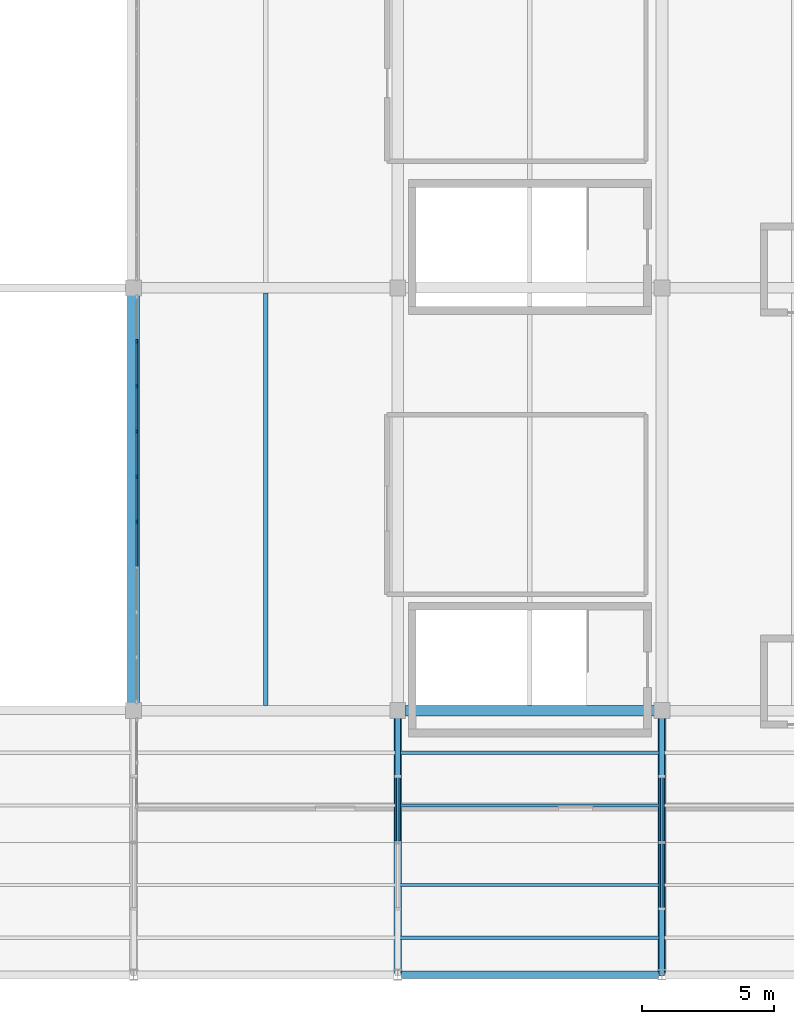
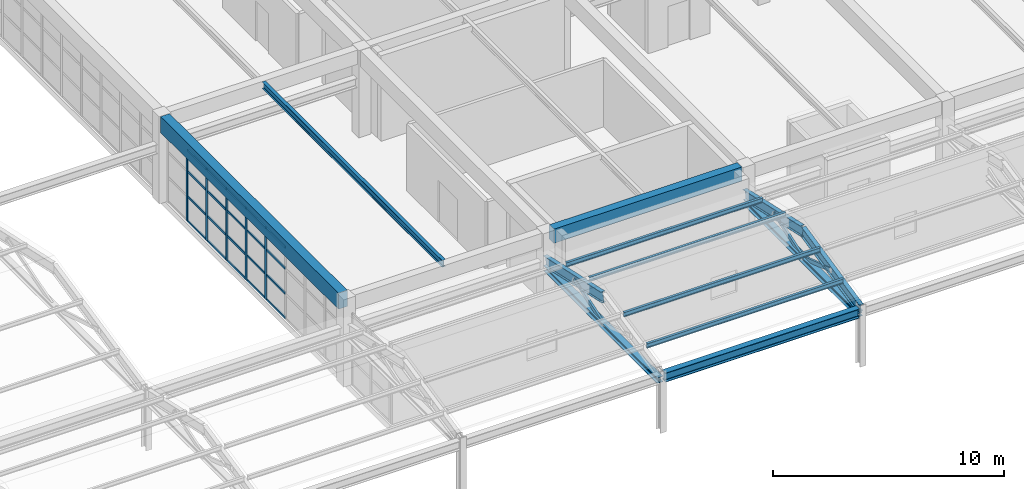
# One storey, part 16 of 109: 34 members, 7 beams, 1 element without a shape of its own.
"""IFC4 building model written with IfcOpenShell, lengths in metres."""

from ifc_helpers import new_model, si_unit, direction, frame, origin, origin_2d, place, context, subcontext, project, spatial, rectangle, hollow_rectangle, i_section, extrude, material, layer, layer_set, material_profile, profile_set, type_object, element, aggregate, save


model = new_model("IFC4")

# Units and contexts
model_context = context("Model", 3, precision=1e-05, world=origin(), true_north=direction((0.0, 1.0)))
body_context = subcontext(model_context, "Body", "Model", "MODEL_VIEW")
ifc_project = project(units=[si_unit("LENGTHUNIT", "METRE"), si_unit("AREAUNIT", "SQUARE_METRE"), si_unit("VOLUMEUNIT", "CUBIC_METRE"), si_unit("PLANEANGLEUNIT", "RADIAN"), si_unit("MASSUNIT", "GRAM", prefix="KILO")], contexts=[model_context])

# Site, building, storey
site_placement = place(None, origin())
site = spatial("IfcSite", under=ifc_project, at=site_placement, CompositionType="ELEMENT")
building_placement = place(site_placement, origin())
building = spatial("IfcBuilding", under=site, at=building_placement, Name="Kivolera Central Railway Station", CompositionType="ELEMENT")
storey_placement = place(building_placement, frame((0.0, 0.0, 9.60009765625)))
storey = spatial("IfcBuildingStorey", under=building, at=storey_placement, Name="L02", CompositionType="ELEMENT", Elevation=9.60009765625)

# Beams
ifc_material_1 = material(Name="Steel S355", Category="steel")
ifc_material_profile_1 = material_profile(ifc_material_1, i_section(OverallWidth=0.169921875, OverallDepth=0.360107421875, WebThickness=0.008056640625, FlangeThickness=0.0126953125, FilletRadius=0.01806640625, at=origin_2d()), Name="IPE 360")
ifc_profile_set_1 = profile_set([ifc_material_profile_1], Name="Steel S355")
beam_type_1 = type_object("IfcBeamType", Name="BM-JST-IPE360", PredefinedType="JOIST", material=ifc_profile_set_1)
beam_1_placement = place(storey_placement, frame((53.0, 16.19189453125, 4.407958984375), z_axis=(0.0, 1.0, 0.0), x_axis=(-1.0, 0.0, 0.0)))
element("IfcBeam", 1, at=beam_1_placement, inside=storey, type_object=beam_type_1, Name="L02 Over-Track Bridge Joist 5:B-C", PredefinedType="JOIST", context=body_context, shape_type="SweptSolid", body=[
    extrude(i_section(OverallWidth=0.169921875, OverallDepth=0.360107421875, WebThickness=0.008056640625, FlangeThickness=0.0126953125, FilletRadius=0.01806640625, at=origin_2d()), origin(), (0.0, 0.0, 1.0), 15.6162109375),
])
ifc_material_2 = material(Name="Concrete C40/50", Category="concrete")
ifc_material_profile_2 = material_profile(ifc_material_2, rectangle(XDim=0.39990234375, YDim=0.75, at=origin_2d()), Name="RC 400x750")
ifc_profile_set_2 = profile_set([ifc_material_profile_2], Name="Concrete C40/50")
beam_type_2 = type_object("IfcBeamType", Name="BM-RC-400x750", PredefinedType="BEAM", material=ifc_profile_set_2)
beam_2_placement = place(storey_placement, frame((58.287109375, 16.0, 4.224853515625), z_axis=(1.0, 0.0, 0.0), x_axis=(0.0, 1.0, 0.0)))
element("IfcBeam", 2, at=beam_2_placement, inside=storey, type_object=beam_type_2, Name="L02 Over-Track Bridge Transverse Girder B:6-7", PredefinedType="BEAM", context=body_context, shape_type="SweptSolid", body=[
    extrude(rectangle(XDim=0.39990234375, YDim=0.75, at=origin_2d()), origin(), (0.0, 0.0, 1.0), 9.42578125),
])
ifc_material_profile_3 = material_profile(ifc_material_2, rectangle(XDim=0.449951171875, YDim=0.85009765625, at=origin_2d()), Name="RC 450x850")
ifc_profile_set_3 = profile_set([ifc_material_profile_3], Name="Concrete C40/50")
beam_type_3 = type_object("IfcBeamType", Name="BM-RC-450x850", PredefinedType="BEAM", material=ifc_profile_set_3)
beam_3_placement = place(storey_placement, frame((48.0, 16.287109375, 4.1748046875), z_axis=(0.0, 1.0, 0.0), x_axis=(-1.0, 0.0, 0.0)))
element("IfcBeam", 3, at=beam_3_placement, inside=storey, type_object=beam_type_3, Name="L02 Over-Track Concourse Bridge Girder 5:B-C", PredefinedType="BEAM", context=body_context, shape_type="SweptSolid", body=[
    extrude(rectangle(XDim=0.449951171875, YDim=0.85009765625, at=origin_2d()), origin(), (0.0, 0.0, 1.0), 15.42578125),
])
ifc_material_profile_4 = material_profile(ifc_material_1, i_section(OverallWidth=0.300048828125, OverallDepth=0.489990234375, WebThickness=0.011962890625, FlangeThickness=0.02294921875, FilletRadius=0.027099609375, at=origin_2d()), Name="HEA 500")
ifc_profile_set_4 = profile_set([ifc_material_profile_4], Name="Steel S355")
beam_type_4 = type_object("IfcBeamType", Name="BM-SHD-HEA500", PredefinedType="BEAM", material=ifc_profile_set_4)
beam_4_placement = place(storey_placement, frame((58.136962890625, 6.0, 2.81982421875), z_axis=(1.0, 0.0, 0.0), x_axis=(0.0, 1.0, 0.0)))
element("IfcBeam", 4, at=beam_4_placement, inside=storey, type_object=beam_type_4, Name="Train Shed Eave Girder A:6-7", PredefinedType="BEAM", context=body_context, shape_type="SweptSolid", body=[
    extrude(i_section(OverallWidth=0.300048828125, OverallDepth=0.489990234375, WebThickness=0.011962890625, FlangeThickness=0.02294921875, FilletRadius=0.027099609375, at=origin_2d()), origin(), (0.0, 0.0, 1.0), 9.72607421875),
])
ifc_material_profile_5 = material_profile(ifc_material_1, i_section(OverallWidth=0.209228515625, OverallDepth=0.533203125, WebThickness=0.010009765625, FlangeThickness=0.015625, FilletRadius=0.0126953125, at=origin_2d()), Name="UB 533x210x92")
ifc_profile_set_5 = profile_set([ifc_material_profile_5], Name="Steel S355")
beam_type_5 = type_object("IfcBeamType", Name="BM-SHD-UB533", PredefinedType="BEAM", material=ifc_profile_set_5)
for number, where, z_axis, x_axis, name in (
    (5, (58.0, 11.0, 4.02490234375), (0.0, 0.976640463768, -0.214879977038), (-1.0, 0.0, 0.0), "Train Shed Roof Truss Top Rafter AB-6N"),
    (6, (68.0, 6.0, 2.9248046875), (0.0, 0.976640463768, 0.214879977038), (-1.0, 0.0, 0.0), "Train Shed Roof Truss Top Rafter AB-7S"),
    (7, (68.0, 11.0, 4.02490234375), (0.0, 0.976640463768, -0.214879977038), (-1.0, 0.0, 0.0), "Train Shed Roof Truss Top Rafter AB-7N"),
):
    element("IfcBeam", number, at=place(storey_placement, frame(where, z_axis=z_axis, x_axis=x_axis)), inside=storey, type_object=beam_type_5, Name=name, PredefinedType="BEAM", context=body_context, shape_type="SweptSolid", body=[
        extrude(i_section(OverallWidth=0.209228515625, OverallDepth=0.533203125, WebThickness=0.010009765625, FlangeThickness=0.015625, FilletRadius=0.0126953125, at=origin_2d()), origin(), (0.0, 0.0, 1.0), 5.11962890625),
    ])

# Curtain wall, members
ifc_material_3 = material(Name="Anodised aluminium", Category="aluminium")
ifc_layer = layer(ifc_material_3, 0.179931640625, Name="Anodised aluminium")
ifc_layer_set = layer_set([ifc_layer], Name="Anodised aluminium")
curtain_wall_type = type_object("IfcCurtainWallType", Name="CW-SYS-18", PredefinedType="NOTDEFINED", material=ifc_layer_set)
curtain_wall_placement = place(storey_placement, origin())
curtain_wall = element("IfcCurtainWall", 8, at=curtain_wall_placement, inside=storey, type_object=curtain_wall_type, Name="L02 Curtain Wall CW-L02-BRGW-2", PredefinedType="NOTDEFINED")
ifc_material_profile_6 = material_profile(ifc_material_3, rectangle(XDim=0.06005859375, YDim=0.14990234375, at=origin_2d()), Name="ALU MULL 60x150")
ifc_profile_set_6 = profile_set([ifc_material_profile_6], Name="Anodised aluminium")
member_type_1 = type_object("IfcMemberType", Name="CWM-MUL-2", PredefinedType="MULLION", material=ifc_profile_set_6)
member_1_placement = place(storey_placement, frame((48.1201171875, 23.1455078125, -0.005126953125), z_axis=(0.0, 0.0, 1.0), x_axis=(-1.0, 0.0, 0.0)))
member_1 = element("IfcMember", 9, at=member_1_placement, type_object=member_type_1, Name="CW-18 mullion 5", PredefinedType="MULLION", context=body_context, shape_type="SweptSolid", body=[
    extrude(rectangle(XDim=0.06005859375, YDim=0.14990234375, at=origin_2d()), origin(), (0.0, 0.0, 1.0), 3.804931640625),
])
member_2_placement = place(storey_placement, frame((48.1201171875, 24.8544921875, -0.005126953125), z_axis=(0.0, 0.0, 1.0), x_axis=(-1.0, 0.0, 0.0)))
member_2 = element("IfcMember", 10, at=member_2_placement, type_object=member_type_1, Name="CW-18 mullion 6", PredefinedType="MULLION", context=body_context, shape_type="SweptSolid", body=[
    extrude(rectangle(XDim=0.06005859375, YDim=0.14990234375, at=origin_2d()), origin(), (0.0, 0.0, 1.0), 3.804931640625),
])
member_3_placement = place(storey_placement, frame((48.1201171875, 26.563232421875, -0.005126953125), z_axis=(0.0, 0.0, 1.0), x_axis=(-1.0, 0.0, 0.0)))
member_3 = element("IfcMember", 11, at=member_3_placement, type_object=member_type_1, Name="CW-18 mullion 7", PredefinedType="MULLION", context=body_context, shape_type="SweptSolid", body=[
    extrude(rectangle(XDim=0.06005859375, YDim=0.14990234375, at=origin_2d()), origin(), (0.0, 0.0, 1.0), 3.804931640625),
])
member_4_placement = place(storey_placement, frame((48.1201171875, 28.272216796875, -0.005126953125), z_axis=(0.0, 0.0, 1.0), x_axis=(-1.0, 0.0, 0.0)))
member_4 = element("IfcMember", 12, at=member_4_placement, type_object=member_type_1, Name="CW-18 mullion 8", PredefinedType="MULLION", context=body_context, shape_type="SweptSolid", body=[
    extrude(rectangle(XDim=0.06005859375, YDim=0.14990234375, at=origin_2d()), origin(), (0.0, 0.0, 1.0), 3.804931640625),
])
member_5_placement = place(storey_placement, frame((48.1201171875, 29.981201171875, -0.005126953125), z_axis=(0.0, 0.0, 1.0), x_axis=(-1.0, 0.0, 0.0)))
member_5 = element("IfcMember", 13, at=member_5_placement, type_object=member_type_1, Name="CW-18 mullion 9", PredefinedType="MULLION", context=body_context, shape_type="SweptSolid", body=[
    extrude(rectangle(XDim=0.06005859375, YDim=0.14990234375, at=origin_2d()), origin(), (0.0, 0.0, 1.0), 3.804931640625),
])
ifc_material_profile_7 = material_profile(ifc_material_3, rectangle(XDim=0.06005859375, YDim=0.1201171875, at=origin_2d()), Name="ALU TRAN 60x120")
ifc_profile_set_7 = profile_set([ifc_material_profile_7], Name="Anodised aluminium")
member_type_2 = type_object("IfcMemberType", Name="CWM-TRN-2", PredefinedType="USERDEFINED", material=ifc_profile_set_7)
member_6_placement = place(storey_placement, frame((48.1201171875, 21.466552734375, 0.02978515625), z_axis=(0.0, 1.0, 0.0), x_axis=(-1.0, 0.0, 0.0)))
member_6 = element("IfcMember", 14, at=member_6_placement, type_object=member_type_2, Name="CW-18 transom 4.1", ObjectType="TRANSOM", PredefinedType="USERDEFINED", context=body_context, shape_type="SweptSolid", body=[
    extrude(rectangle(XDim=0.06005859375, YDim=0.1201171875, at=origin_2d()), origin(), (0.0, 0.0, 1.0), 1.64892578125),
])
member_7_placement = place(storey_placement, frame((48.1201171875, 21.466552734375, 1.329833984375), z_axis=(0.0, 1.0, 0.0), x_axis=(-1.0, 0.0, 0.0)))
member_7 = element("IfcMember", 15, at=member_7_placement, type_object=member_type_2, Name="CW-18 transom 4.2", ObjectType="TRANSOM", PredefinedType="USERDEFINED", context=body_context, shape_type="SweptSolid", body=[
    extrude(rectangle(XDim=0.06005859375, YDim=0.1201171875, at=origin_2d()), origin(), (0.0, 0.0, 1.0), 1.64892578125),
])
member_8_placement = place(storey_placement, frame((48.1201171875, 21.466552734375, 2.659912109375), z_axis=(0.0, 1.0, 0.0), x_axis=(-1.0, 0.0, 0.0)))
member_8 = element("IfcMember", 16, at=member_8_placement, type_object=member_type_2, Name="CW-18 transom 4.3", ObjectType="TRANSOM", PredefinedType="USERDEFINED", context=body_context, shape_type="SweptSolid", body=[
    extrude(rectangle(XDim=0.06005859375, YDim=0.1201171875, at=origin_2d()), origin(), (0.0, 0.0, 1.0), 1.64892578125),
])
member_9_placement = place(storey_placement, frame((48.1201171875, 21.466552734375, 3.77001953125), z_axis=(0.0, 1.0, 0.0), x_axis=(-1.0, 0.0, 0.0)))
member_9 = element("IfcMember", 17, at=member_9_placement, type_object=member_type_2, Name="CW-18 transom 4.4", ObjectType="TRANSOM", PredefinedType="USERDEFINED", context=body_context, shape_type="SweptSolid", body=[
    extrude(rectangle(XDim=0.06005859375, YDim=0.1201171875, at=origin_2d()), origin(), (0.0, 0.0, 1.0), 1.64892578125),
])
member_10_placement = place(storey_placement, frame((48.1201171875, 23.175537109375, 0.02978515625), z_axis=(0.0, 1.0, 0.0), x_axis=(-1.0, 0.0, 0.0)))
member_10 = element("IfcMember", 18, at=member_10_placement, type_object=member_type_2, Name="CW-18 transom 5.1", ObjectType="TRANSOM", PredefinedType="USERDEFINED", context=body_context, shape_type="SweptSolid", body=[
    extrude(rectangle(XDim=0.06005859375, YDim=0.1201171875, at=origin_2d()), origin(), (0.0, 0.0, 1.0), 1.64892578125),
])
member_11_placement = place(storey_placement, frame((48.1201171875, 23.175537109375, 1.329833984375), z_axis=(0.0, 1.0, 0.0), x_axis=(-1.0, 0.0, 0.0)))
member_11 = element("IfcMember", 19, at=member_11_placement, type_object=member_type_2, Name="CW-18 transom 5.2", ObjectType="TRANSOM", PredefinedType="USERDEFINED", context=body_context, shape_type="SweptSolid", body=[
    extrude(rectangle(XDim=0.06005859375, YDim=0.1201171875, at=origin_2d()), origin(), (0.0, 0.0, 1.0), 1.64892578125),
])
member_12_placement = place(storey_placement, frame((48.1201171875, 23.175537109375, 2.659912109375), z_axis=(0.0, 1.0, 0.0), x_axis=(-1.0, 0.0, 0.0)))
member_12 = element("IfcMember", 20, at=member_12_placement, type_object=member_type_2, Name="CW-18 transom 5.3", ObjectType="TRANSOM", PredefinedType="USERDEFINED", context=body_context, shape_type="SweptSolid", body=[
    extrude(rectangle(XDim=0.06005859375, YDim=0.1201171875, at=origin_2d()), origin(), (0.0, 0.0, 1.0), 1.64892578125),
])
member_13_placement = place(storey_placement, frame((48.1201171875, 23.175537109375, 3.77001953125), z_axis=(0.0, 1.0, 0.0), x_axis=(-1.0, 0.0, 0.0)))
member_13 = element("IfcMember", 21, at=member_13_placement, type_object=member_type_2, Name="CW-18 transom 5.4", ObjectType="TRANSOM", PredefinedType="USERDEFINED", context=body_context, shape_type="SweptSolid", body=[
    extrude(rectangle(XDim=0.06005859375, YDim=0.1201171875, at=origin_2d()), origin(), (0.0, 0.0, 1.0), 1.64892578125),
])
member_14_placement = place(storey_placement, frame((48.1201171875, 24.884521484375, 0.02978515625), z_axis=(0.0, 1.0, 0.0), x_axis=(-1.0, 0.0, 0.0)))
member_14 = element("IfcMember", 22, at=member_14_placement, type_object=member_type_2, Name="CW-18 transom 6.1", ObjectType="TRANSOM", PredefinedType="USERDEFINED", context=body_context, shape_type="SweptSolid", body=[
    extrude(rectangle(XDim=0.06005859375, YDim=0.1201171875, at=origin_2d()), origin(), (0.0, 0.0, 1.0), 1.64892578125),
])
member_15_placement = place(storey_placement, frame((48.1201171875, 24.884521484375, 1.329833984375), z_axis=(0.0, 1.0, 0.0), x_axis=(-1.0, 0.0, 0.0)))
member_15 = element("IfcMember", 23, at=member_15_placement, type_object=member_type_2, Name="CW-18 transom 6.2", ObjectType="TRANSOM", PredefinedType="USERDEFINED", context=body_context, shape_type="SweptSolid", body=[
    extrude(rectangle(XDim=0.06005859375, YDim=0.1201171875, at=origin_2d()), origin(), (0.0, 0.0, 1.0), 1.64892578125),
])
member_16_placement = place(storey_placement, frame((48.1201171875, 24.884521484375, 2.659912109375), z_axis=(0.0, 1.0, 0.0), x_axis=(-1.0, 0.0, 0.0)))
member_16 = element("IfcMember", 24, at=member_16_placement, type_object=member_type_2, Name="CW-18 transom 6.3", ObjectType="TRANSOM", PredefinedType="USERDEFINED", context=body_context, shape_type="SweptSolid", body=[
    extrude(rectangle(XDim=0.06005859375, YDim=0.1201171875, at=origin_2d()), origin(), (0.0, 0.0, 1.0), 1.64892578125),
])
member_17_placement = place(storey_placement, frame((48.1201171875, 24.884521484375, 3.77001953125), z_axis=(0.0, 1.0, 0.0), x_axis=(-1.0, 0.0, 0.0)))
member_17 = element("IfcMember", 25, at=member_17_placement, type_object=member_type_2, Name="CW-18 transom 6.4", ObjectType="TRANSOM", PredefinedType="USERDEFINED", context=body_context, shape_type="SweptSolid", body=[
    extrude(rectangle(XDim=0.06005859375, YDim=0.1201171875, at=origin_2d()), origin(), (0.0, 0.0, 1.0), 1.64892578125),
])
member_18_placement = place(storey_placement, frame((48.1201171875, 26.59326171875, 0.02978515625), z_axis=(0.0, 1.0, 0.0), x_axis=(-1.0, 0.0, 0.0)))
member_18 = element("IfcMember", 26, at=member_18_placement, type_object=member_type_2, Name="CW-18 transom 7.1", ObjectType="TRANSOM", PredefinedType="USERDEFINED", context=body_context, shape_type="SweptSolid", body=[
    extrude(rectangle(XDim=0.06005859375, YDim=0.1201171875, at=origin_2d()), origin(), (0.0, 0.0, 1.0), 1.64892578125),
])
member_19_placement = place(storey_placement, frame((48.1201171875, 26.59326171875, 1.329833984375), z_axis=(0.0, 1.0, 0.0), x_axis=(-1.0, 0.0, 0.0)))
member_19 = element("IfcMember", 27, at=member_19_placement, type_object=member_type_2, Name="CW-18 transom 7.2", ObjectType="TRANSOM", PredefinedType="USERDEFINED", context=body_context, shape_type="SweptSolid", body=[
    extrude(rectangle(XDim=0.06005859375, YDim=0.1201171875, at=origin_2d()), origin(), (0.0, 0.0, 1.0), 1.64892578125),
])
member_20_placement = place(storey_placement, frame((48.1201171875, 26.59326171875, 2.659912109375), z_axis=(0.0, 1.0, 0.0), x_axis=(-1.0, 0.0, 0.0)))
member_20 = element("IfcMember", 28, at=member_20_placement, type_object=member_type_2, Name="CW-18 transom 7.3", ObjectType="TRANSOM", PredefinedType="USERDEFINED", context=body_context, shape_type="SweptSolid", body=[
    extrude(rectangle(XDim=0.06005859375, YDim=0.1201171875, at=origin_2d()), origin(), (0.0, 0.0, 1.0), 1.64892578125),
])
member_21_placement = place(storey_placement, frame((48.1201171875, 26.59326171875, 3.77001953125), z_axis=(0.0, 1.0, 0.0), x_axis=(-1.0, 0.0, 0.0)))
member_21 = element("IfcMember", 29, at=member_21_placement, type_object=member_type_2, Name="CW-18 transom 7.4", ObjectType="TRANSOM", PredefinedType="USERDEFINED", context=body_context, shape_type="SweptSolid", body=[
    extrude(rectangle(XDim=0.06005859375, YDim=0.1201171875, at=origin_2d()), origin(), (0.0, 0.0, 1.0), 1.64892578125),
])
member_22_placement = place(storey_placement, frame((48.1201171875, 28.30224609375, 0.02978515625), z_axis=(0.0, 1.0, 0.0), x_axis=(-1.0, 0.0, 0.0)))
member_22 = element("IfcMember", 30, at=member_22_placement, type_object=member_type_2, Name="CW-18 transom 8.1", ObjectType="TRANSOM", PredefinedType="USERDEFINED", context=body_context, shape_type="SweptSolid", body=[
    extrude(rectangle(XDim=0.06005859375, YDim=0.1201171875, at=origin_2d()), origin(), (0.0, 0.0, 1.0), 1.64892578125),
])
member_23_placement = place(storey_placement, frame((48.1201171875, 28.30224609375, 1.329833984375), z_axis=(0.0, 1.0, 0.0), x_axis=(-1.0, 0.0, 0.0)))
member_23 = element("IfcMember", 31, at=member_23_placement, type_object=member_type_2, Name="CW-18 transom 8.2", ObjectType="TRANSOM", PredefinedType="USERDEFINED", context=body_context, shape_type="SweptSolid", body=[
    extrude(rectangle(XDim=0.06005859375, YDim=0.1201171875, at=origin_2d()), origin(), (0.0, 0.0, 1.0), 1.64892578125),
])
member_24_placement = place(storey_placement, frame((48.1201171875, 28.30224609375, 2.659912109375), z_axis=(0.0, 1.0, 0.0), x_axis=(-1.0, 0.0, 0.0)))
member_24 = element("IfcMember", 32, at=member_24_placement, type_object=member_type_2, Name="CW-18 transom 8.3", ObjectType="TRANSOM", PredefinedType="USERDEFINED", context=body_context, shape_type="SweptSolid", body=[
    extrude(rectangle(XDim=0.06005859375, YDim=0.1201171875, at=origin_2d()), origin(), (0.0, 0.0, 1.0), 1.64892578125),
])
member_25_placement = place(storey_placement, frame((48.1201171875, 28.30224609375, 3.77001953125), z_axis=(0.0, 1.0, 0.0), x_axis=(-1.0, 0.0, 0.0)))
member_25 = element("IfcMember", 33, at=member_25_placement, type_object=member_type_2, Name="CW-18 transom 8.4", ObjectType="TRANSOM", PredefinedType="USERDEFINED", context=body_context, shape_type="SweptSolid", body=[
    extrude(rectangle(XDim=0.06005859375, YDim=0.1201171875, at=origin_2d()), origin(), (0.0, 0.0, 1.0), 1.64892578125),
])
aggregate(curtain_wall, [member_1, member_2, member_3, member_4, member_5, member_6, member_7, member_8, member_9, member_10, member_11, member_12, member_13, member_14, member_15, member_16, member_17, member_18, member_19, member_20, member_21, member_22, member_23, member_24, member_25])

# Members
ifc_material_profile_8 = material_profile(ifc_material_1, i_section(OverallWidth=0.300048828125, OverallDepth=0.300048828125, WebThickness=0.010986328125, FlangeThickness=0.01904296875, FilletRadius=0.027099609375, at=origin_2d()), Name="HEB 300")
ifc_profile_set_8 = profile_set([ifc_material_profile_8], Name="Steel S355")
member_type_3 = type_object("IfcMemberType", Name="MEM-CHD-HEB300", PredefinedType="CHORD", material=ifc_profile_set_8)
for number, where, z_axis, x_axis, name in (
    (34, (58.0, 6.080078125, 2.619873046875), (0.0, 1.0, 0.0), (-1.0, 0.0, 0.0), "Train Shed Roof Truss Bottom Tie Chord AB-6"),
    (35, (68.0, 6.080078125, 2.619873046875), (0.0, 1.0, 0.0), (-1.0, 0.0, 0.0), "Train Shed Roof Truss Bottom Tie Chord AB-7"),
):
    element("IfcMember", number, at=place(storey_placement, frame(where, z_axis=z_axis, x_axis=x_axis)), inside=storey, type_object=member_type_3, Name=name, PredefinedType="CHORD", context=body_context, shape_type="SweptSolid", body=[
        extrude(i_section(OverallWidth=0.300048828125, OverallDepth=0.300048828125, WebThickness=0.010986328125, FlangeThickness=0.01904296875, FilletRadius=0.027099609375, at=origin_2d()), origin(), (0.0, 0.0, 1.0), 9.83984375),
    ])
ifc_material_profile_9 = material_profile(ifc_material_1, i_section(OverallWidth=0.1201171875, OverallDepth=0.239990234375, WebThickness=0.006103515625, FlangeThickness=0.009765625, FilletRadius=0.014892578125, at=origin_2d()), Name="IPE 240")
ifc_profile_set_9 = profile_set([ifc_material_profile_9], Name="Steel S355")
member_type_4 = type_object("IfcMemberType", Name="MEM-PUR-IPE240", PredefinedType="PURLIN", material=ifc_profile_set_9)
for number, where, z_axis, x_axis, name in (
    (36, (58.080078125, 7.39990234375, 3.61279296875), (1.0, 0.0, 0.0), (0.0, 1.0, 0.0), "Train Shed Roof Purlin AB-06-S1"),
    (37, (58.080078125, 12.39990234375, 4.096923828125), (1.0, 0.0, 0.0), (0.0, 1.0, 0.0), "Train Shed Roof Purlin AB-06-N1"),
    (38, (58.080078125, 9.39990234375, 4.052978515625), (1.0, 0.0, 0.0), (0.0, 1.0, 0.0), "Train Shed Roof Purlin AB-06-S2"),
    (39, (58.080078125, 14.39990234375, 3.656982421875), (1.0, 0.0, 0.0), (0.0, 1.0, 0.0), "Train Shed Roof Purlin AB-06-N2"),
):
    element("IfcMember", number, at=place(storey_placement, frame(where, z_axis=z_axis, x_axis=x_axis)), inside=storey, type_object=member_type_4, Name=name, PredefinedType="PURLIN", context=body_context, shape_type="SweptSolid", body=[
        extrude(i_section(OverallWidth=0.1201171875, OverallDepth=0.239990234375, WebThickness=0.006103515625, FlangeThickness=0.009765625, FilletRadius=0.014892578125, at=origin_2d()), origin(), (0.0, 0.0, 1.0), 9.83984375),
    ])
ifc_material_profile_10 = material_profile(ifc_material_1, hollow_rectangle(XDim=0.10009765625, YDim=0.199951171875, WallThickness=0.010009765625, at=origin_2d()), Name="RHS 200x100x10")
ifc_profile_set_10 = profile_set([ifc_material_profile_10], Name="Steel S355")
member_type_5 = type_object("IfcMemberType", Name="MEM-STR-RHS200", PredefinedType="STRUT", material=ifc_profile_set_10)
for number, where, z_axis, x_axis, name in (
    (40, (58.0, 11.0, 2.619873046875), (0.0, 0.946196747594, 0.323591895515), (-1.0, 0.0, 0.0), "Train Shed Truss Web Strut AB-6-2"),
    (41, (68.0, 11.0, 2.619873046875), (0.0, -0.946196747594, 0.323591895515), (1.0, 0.0, 0.0), "Train Shed Truss Web Strut AB-7-1"),
    (42, (68.0, 11.0, 2.619873046875), (0.0, 0.946196747594, 0.323591895515), (-1.0, 0.0, 0.0), "Train Shed Truss Web Strut AB-7-2"),
):
    element("IfcMember", number, at=place(storey_placement, frame(where, z_axis=z_axis, x_axis=x_axis)), inside=storey, type_object=member_type_5, Name=name, PredefinedType="STRUT", context=body_context, shape_type="SweptSolid", body=[
        extrude(hollow_rectangle(XDim=0.10009765625, YDim=0.199951171875, WallThickness=0.010009765625, at=origin_2d()), origin(), (0.0, 0.0, 1.0), 2.64208984375),
    ])

save(model, "model.ifc")
